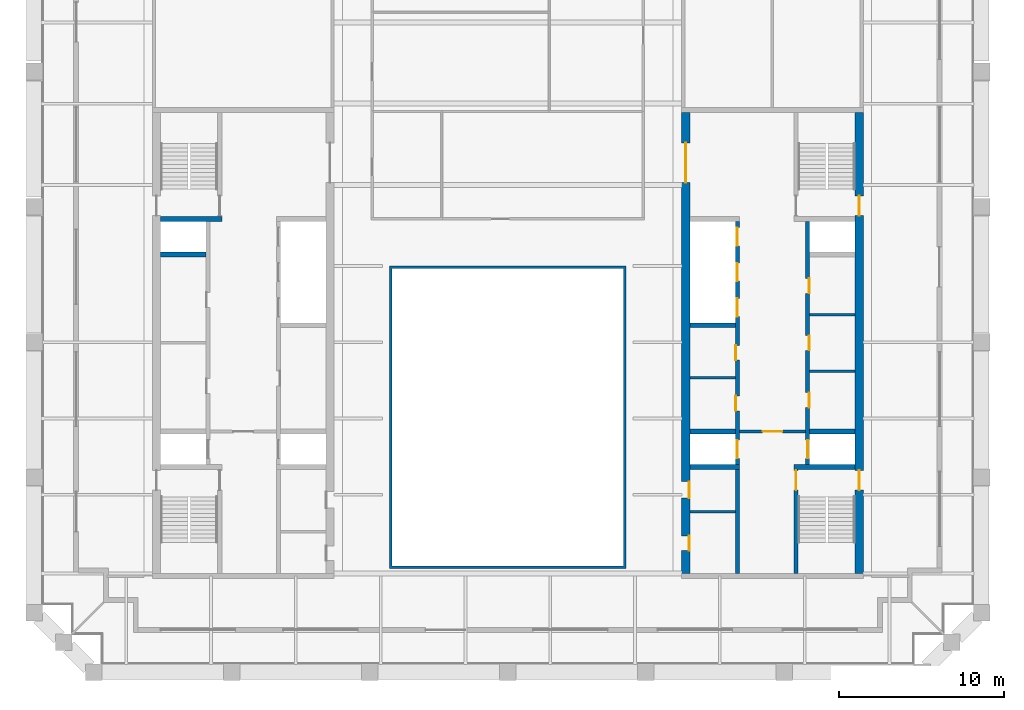
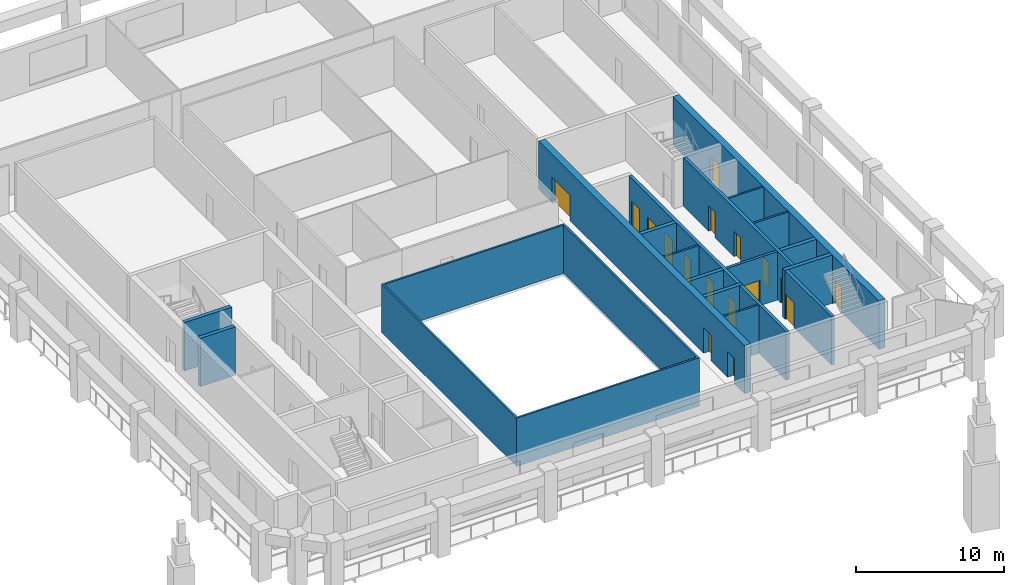
# One storey, part 4 of 8: 18 walls, 17 doors, 17 openings.
"""IFC4 building model written with IfcOpenShell, lengths in metres."""

from ifc_helpers import new_model, si_unit, direction, frame, frame_2d, origin, place, context, subcontext, project, spatial, polyline, rectangle, outline, extrude, material, layer, layer_set, type_object, element, fill, save


model = new_model("IFC4")

# Units and contexts
model_context = context("Model", 3, precision=1e-05, world=origin(), true_north=direction((0.0, 1.0)))
body_context = subcontext(model_context, "Body", "Model", "MODEL_VIEW")
ifc_project = project(units=[si_unit("LENGTHUNIT", "METRE"), si_unit("AREAUNIT", "SQUARE_METRE"), si_unit("VOLUMEUNIT", "CUBIC_METRE"), si_unit("PLANEANGLEUNIT", "RADIAN"), si_unit("MASSUNIT", "GRAM", prefix="KILO")], contexts=[model_context])

# Site, building, storey
site_placement = place(None, origin())
site = spatial("IfcSite", under=ifc_project, at=site_placement, CompositionType="ELEMENT")
building_placement = place(site_placement, origin())
building = spatial("IfcBuilding", under=site, at=building_placement, Name="Ogive Exchange Tower", CompositionType="ELEMENT")
storey_placement = place(building_placement, frame((0.0, 0.0, 309.0)))
storey = spatial("IfcBuildingStorey", under=building, at=storey_placement, Name="L67", CompositionType="ELEMENT", Elevation=309.0)

# Walls
ifc_material_1 = material(Name="Gypsum board partition")
ifc_layer_1 = layer(ifc_material_1, 0.14990234375)
ifc_layer_set_1 = layer_set([ifc_layer_1], Name="Core room partition 150 gypsum")
wall_type_1 = type_object("IfcWallType", Name="Core room partition 150 gypsum", PredefinedType="PARTITIONING", material=ifc_layer_set_1)
for number, where, z_axis, x_axis, name in (
    (1, (18.25, 9.800048828125, 0.0), (0.0, 0.0, 1.0), (1.0, 0.0, 0.0), "E row A bay partition 1-1"),
    (2, (18.25, 13.199951171875, 0.0), (0.0, 0.0, 1.0), (1.0, 0.0, 0.0), "E row A bay partition 1-2"),
    (3, (11.0, 9.39990234375, 0.0), (0.0, 0.0, 1.0), (1.0, 0.0, 0.0), "E row B bay partition 1-1"),
    (4, (11.0, 1.300048828125, 0.0), (0.0, 0.0, 1.0), (1.0, 0.0, 0.0), "E south room partition"),
):
    element("IfcWall", number, at=place(storey_placement, frame(where, z_axis=z_axis, x_axis=x_axis)), inside=storey, type_object=wall_type_1, Name=name, PredefinedType="PARTITIONING", context=body_context, shape_type="SweptSolid", body=[
        extrude(rectangle(XDim=2.75, YDim=0.14990234375, at=frame_2d((1.375, 0.0))), origin(), (0.0, 0.0, 1.0), 4.0),
    ])
ifc_material_2 = material(Name="Fire-resisting glass in steel frame", Category="steel")
ifc_layer_2 = layer(ifc_material_2, 0.14990234375)
ifc_layer_set_2 = layer_set([ifc_layer_2], Name="Fire-rated glazed wall 150")
wall_type_2 = type_object("IfcWallType", Name="Fire-rated glazed wall 150", PredefinedType="STANDARD", material=ifc_layer_set_2)
wall_1_placement = place(storey_placement, origin())
element("IfcWall", 5, at=wall_1_placement, inside=storey, type_object=wall_type_2, Name="Nave enclosure wall", PredefinedType="STANDARD", context=body_context, shape_type="SweptSolid", body=[
    extrude(outline(polyline([(-7.14990234375, -2.14990234375), (7.14990234375, -2.14990234375), (7.14990234375, 16.14990234375), (-7.14990234375, 16.14990234375), (-7.14990234375, -2.14990234375)]), holes=[polyline([(-7.0, -2.0), (-7.0, 16.0), (7.0, 16.0), (7.0, -2.0), (-7.0, -2.0)])]), origin(), (0.0, 0.0, 1.0), 4.0),
])

# Wall, opening, door
ifc_material_3 = material(Name="Concrete C70/85", Category="concrete")
ifc_layer_3 = layer(ifc_material_3, 0.199951171875)
ifc_layer_set_3 = layer_set([ifc_layer_3], Name="RC core wall 200 C70/85")
wall_type_3 = type_object("IfcWallType", Name="RC core wall 200 C70/85", PredefinedType="SHEAR", material=ifc_layer_set_3)
wall_2_placement = place(storey_placement, frame((14.0, 6.142822265625, 0.0), z_axis=(0.0, 0.0, 1.0), x_axis=(1.0, 0.0, 0.0)))
wall_2 = element("IfcWall", 6, at=wall_2_placement, inside=storey, type_object=wall_type_3, Name="E firefighting lobby wall", PredefinedType="SHEAR", context=body_context, shape_type="SweptSolid", body=[
    extrude(rectangle(XDim=4.0, YDim=0.199951171875, at=frame_2d((2.0, 0.0))), origin(), (0.0, 0.0, 1.0), 4.0),
])
opening_1_placement = place(wall_2_placement, frame((1.39990234375, 0.0, 0.0)))
opening_1 = element("IfcOpeningElement", 7, at=opening_1_placement, cuts=wall_2, Name="Opening L67-C28", PredefinedType="OPENING", context=body_context, shape_type="SweptSolid", body=[
    extrude(rectangle(XDim=1.199951171875, YDim=2.10009765625, at=frame_2d((0.60009765625, 1.050048828125))), frame((0.0, 0.10986328125, 0.0), z_axis=(0.0, -1.0, 0.0), x_axis=(1.0, 0.0, 0.0)), (0.0, 0.0, 1.0), 0.219970703125),
])
ifc_material_4 = material(Name="Steel fire door", Category="steel")
door_type_1 = type_object("IfcDoorType", Name="Firefighting lobby door FD60 1200 x 2100", OperationType="NOTDEFINED", PredefinedType="DOOR", material=ifc_material_4)
door_1_placement = place(opening_1_placement, frame((1.199951171875, 0.0, 0.0), z_axis=(0.0, 0.0, 1.0), x_axis=(-1.0, 0.0, 0.0)))
door_1 = element("IfcDoor", 8, at=door_1_placement, inside=storey, type_object=door_type_1, Name="Firefighting lobby door", ObjectType="CD3", OperationType="SINGLE_SWING_LEFT", OverallHeight=2.10009765625, OverallWidth=1.199951171875, PredefinedType="DOOR", context=body_context, shape_type="SweptSolid", body=[
    extrude(rectangle(XDim=1.199951171875, YDim=2.10009765625, at=frame_2d((0.60009765625, 1.050048828125))), frame((0.0, 0.02490234375, 0.0), z_axis=(0.0, -1.0, 0.0), x_axis=(1.0, 0.0, 0.0)), (0.0, 0.0, 1.0), 0.050048828125),
])
fill(opening_1, door_1)

ifc_layer_4 = layer(ifc_material_3, 0.25)
ifc_layer_set_4 = layer_set([ifc_layer_4], Name="RC core wall 250 C70/85")
wall_type_4 = type_object("IfcWallType", Name="RC core wall 250 C70/85", PredefinedType="SHEAR", material=ifc_layer_set_4)
wall_3_placement = place(storey_placement, frame((17.425048828125, -2.449951171875, 0.0), z_axis=(0.0, 0.0, 1.0), x_axis=(0.0, 1.0, 0.0)))
wall_3 = element("IfcWall", 9, at=wall_3_placement, inside=storey, type_object=wall_type_4, Name="E stair S front wall", PredefinedType="SHEAR", context=body_context, shape_type="SweptSolid", body=[
    extrude(rectangle(XDim=6.300048828125, YDim=0.25, at=frame_2d((3.14990234375, 0.0))), origin(), (0.0, 0.0, 1.0), 4.0),
])
opening_2_placement = place(wall_3_placement, frame((5.050048828125, 0.0, 0.0)))
opening_2 = element("IfcOpeningElement", 10, at=opening_2_placement, cuts=wall_3, Name="Opening L67-C30", PredefinedType="OPENING", context=body_context, shape_type="SweptSolid", body=[
    extrude(rectangle(XDim=1.199951171875, YDim=2.10009765625, at=frame_2d((0.60009765625, 1.050048828125))), frame((0.0, 0.135009765625, 0.0), z_axis=(0.0, -1.0, 0.0), x_axis=(1.0, 0.0, 0.0)), (0.0, 0.0, 1.0), 0.27001953125),
])
door_type_2 = type_object("IfcDoorType", Name="Stair door FD90 1200 x 2100", OperationType="NOTDEFINED", PredefinedType="DOOR", material=ifc_material_4)
door_2_placement = place(opening_2_placement, frame((1.199951171875, 0.0, 0.0), z_axis=(0.0, 0.0, 1.0), x_axis=(-1.0, 0.0, 0.0)))
door_2 = element("IfcDoor", 11, at=door_2_placement, inside=storey, type_object=door_type_2, Name="Stair door", ObjectType="CD5", OperationType="SINGLE_SWING_RIGHT", OverallHeight=2.10009765625, OverallWidth=1.199951171875, PredefinedType="DOOR", context=body_context, shape_type="SweptSolid", body=[
    extrude(rectangle(XDim=1.199951171875, YDim=2.10009765625, at=frame_2d((0.60009765625, 1.050048828125))), frame((0.0, 0.02490234375, 0.0), z_axis=(0.0, -1.0, 0.0), x_axis=(1.0, 0.0, 0.0)), (0.0, 0.0, 1.0), 0.050048828125),
])
fill(opening_2, door_2)

# Wall, openings, doors
wall_4_placement = place(storey_placement, frame((18.125, 4.14990234375, 0.0), z_axis=(0.0, 0.0, 1.0), x_axis=(0.0, 1.0, 0.0)))
wall_4 = element("IfcWall", 12, at=wall_4_placement, inside=storey, type_object=wall_type_4, Name="E row A front wall", PredefinedType="SHEAR", context=body_context, shape_type="SweptSolid", body=[
    extrude(rectangle(XDim=14.7001953125, YDim=0.25, at=frame_2d((7.35009765625, 0.0))), origin(), (0.0, 0.0, 1.0), 4.0),
])
opening_3_placement = place(wall_4_placement, frame((3.4462890625, 0.0, 0.0)))
opening_3 = element("IfcOpeningElement", 13, at=opening_3_placement, cuts=wall_4, Name="Opening L67-C18", PredefinedType="OPENING", context=body_context, shape_type="SweptSolid", body=[
    extrude(rectangle(XDim=0.89990234375, YDim=2.10009765625, at=frame_2d((0.449951171875, 1.050048828125))), frame((0.0, 0.135009765625, 0.0), z_axis=(0.0, -1.0, 0.0), x_axis=(1.0, 0.0, 0.0)), (0.0, 0.0, 1.0), 0.27001953125),
])
opening_4_placement = place(wall_4_placement, frame((6.89990234375, 0.0, 0.0)))
opening_4 = element("IfcOpeningElement", 14, at=opening_4_placement, cuts=wall_4, Name="Opening L67-C19", PredefinedType="OPENING", context=body_context, shape_type="SweptSolid", body=[
    extrude(rectangle(XDim=0.89990234375, YDim=2.10009765625, at=frame_2d((0.449951171875, 1.050048828125))), frame((0.0, 0.135009765625, 0.0), z_axis=(0.0, -1.0, 0.0), x_axis=(1.0, 0.0, 0.0)), (0.0, 0.0, 1.0), 0.27001953125),
])
opening_5_placement = place(wall_4_placement, frame((10.353515625, 0.0, 0.0)))
opening_5 = element("IfcOpeningElement", 15, at=opening_5_placement, cuts=wall_4, Name="Opening L67-C20", PredefinedType="OPENING", context=body_context, shape_type="SweptSolid", body=[
    extrude(rectangle(XDim=0.89990234375, YDim=2.10009765625, at=frame_2d((0.449951171875, 1.050048828125))), frame((0.0, 0.135009765625, 0.0), z_axis=(0.0, -1.0, 0.0), x_axis=(1.0, 0.0, 0.0)), (0.0, 0.0, 1.0), 0.27001953125),
])
opening_6_placement = place(wall_4_placement, frame((0.371337890625, 0.0, 0.0)))
opening_6 = element("IfcOpeningElement", 16, at=opening_6_placement, cuts=wall_4, Name="Opening L67-C21", PredefinedType="OPENING", context=body_context, shape_type="SweptSolid", body=[
    extrude(rectangle(XDim=1.10009765625, YDim=2.10009765625, at=frame_2d((0.550048828125, 1.050048828125))), frame((0.0, 0.135009765625, 0.0), z_axis=(0.0, -1.0, 0.0), x_axis=(1.0, 0.0, 0.0)), (0.0, 0.0, 1.0), 0.27001953125),
])
ifc_material_5 = material(Name="Timber fire door", Category="wood")
door_type_3 = type_object("IfcDoorType", Name="Core room door FD30S 900 x 2100", OperationType="NOTDEFINED", PredefinedType="DOOR", material=ifc_material_5)
door_3_placement = place(opening_3_placement, frame((0.89990234375, -0.2001953125, 0.0), z_axis=(0.0, 0.0, 1.0), x_axis=(-1.0, 0.0, 0.0)))
door_3 = element("IfcDoor", 17, at=door_3_placement, inside=storey, type_object=door_type_3, Name="Core room door", ObjectType="CD6", OperationType="SINGLE_SWING_RIGHT", OverallHeight=2.10009765625, OverallWidth=0.89990234375, PredefinedType="DOOR", context=body_context, shape_type="SweptSolid", body=[
    extrude(rectangle(XDim=0.89990234375, YDim=2.10009765625, at=frame_2d((0.449951171875, 1.050048828125))), frame((0.0, -0.0751953125, 0.0), z_axis=(0.0, -1.0, 0.0), x_axis=(1.0, 0.0, 0.0)), (0.0, 0.0, 1.0), 0.050048828125),
])
fill(opening_3, door_3)
door_4_placement = place(opening_5_placement, frame((0.89990234375, -0.2001953125, 0.0), z_axis=(0.0, 0.0, 1.0), x_axis=(-1.0, 0.0, 0.0)))
door_4 = element("IfcDoor", 18, at=door_4_placement, inside=storey, type_object=door_type_3, Name="Core room door", ObjectType="CD6", OperationType="SINGLE_SWING_LEFT", OverallHeight=2.10009765625, OverallWidth=0.89990234375, PredefinedType="DOOR", context=body_context, shape_type="SweptSolid", body=[
    extrude(rectangle(XDim=0.89990234375, YDim=2.10009765625, at=frame_2d((0.449951171875, 1.050048828125))), frame((0.0, -0.0751953125, 0.0), z_axis=(0.0, -1.0, 0.0), x_axis=(1.0, 0.0, 0.0)), (0.0, 0.0, 1.0), 0.050048828125),
])
fill(opening_5, door_4)
ifc_material_6 = material(Name="Stainless steel", Category="steel")
door_type_4 = type_object("IfcDoorType", Name="Lift landing door FD90 1100 x 2100", OperationType="SLIDING_TO_LEFT", PredefinedType="DOOR", material=ifc_material_6)
door_5_placement = place(opening_6_placement, origin())
door_5 = element("IfcDoor", 19, at=door_5_placement, inside=storey, type_object=door_type_4, Name="Lift landing door FF2", ObjectType="LD", OperationType="SLIDING_TO_LEFT", OverallHeight=2.10009765625, OverallWidth=1.10009765625, PredefinedType="DOOR", context=body_context, shape_type="SweptSolid", body=[
    extrude(rectangle(XDim=1.10009765625, YDim=2.10009765625, at=frame_2d((0.550048828125, 1.050048828125))), frame((0.0, 0.02490234375, 0.0), z_axis=(0.0, -1.0, 0.0), x_axis=(1.0, 0.0, 0.0)), (0.0, 0.0, 1.0), 0.050048828125),
])
fill(opening_6, door_5)
door_type_5 = type_object("IfcDoorType", Name="Riser door FD60 900 x 2100", OperationType="NOTDEFINED", PredefinedType="DOOR", material=ifc_material_4)
door_6_placement = place(opening_4_placement, frame((0.89990234375, -0.2001953125, 0.0), z_axis=(0.0, 0.0, 1.0), x_axis=(-1.0, 0.0, 0.0)))
door_6 = element("IfcDoor", 20, at=door_6_placement, inside=storey, type_object=door_type_5, Name="Riser door", ObjectType="CD2", OperationType="SINGLE_SWING_RIGHT", OverallHeight=2.10009765625, OverallWidth=0.89990234375, PredefinedType="DOOR", context=body_context, shape_type="SweptSolid", body=[
    extrude(rectangle(XDim=0.89990234375, YDim=2.10009765625, at=frame_2d((0.449951171875, 1.050048828125))), frame((0.0, -0.0751953125, 0.0), z_axis=(0.0, -1.0, 0.0), x_axis=(1.0, 0.0, 0.0)), (0.0, 0.0, 1.0), 0.050048828125),
])
fill(opening_4, door_6)

wall_5_placement = place(storey_placement, frame((13.875, -2.449951171875, 0.0), z_axis=(0.0, 0.0, 1.0), x_axis=(0.0, 1.0, 0.0)))
wall_5 = element("IfcWall", 21, at=wall_5_placement, inside=storey, type_object=wall_type_4, Name="E row B front wall", PredefinedType="SHEAR", context=body_context, shape_type="SweptSolid", body=[
    extrude(rectangle(XDim=21.300048828125, YDim=0.25, at=frame_2d((10.64990234375, 0.0))), origin(), (0.0, 0.0, 1.0), 4.0),
])
opening_7_placement = place(wall_5_placement, frame((9.846435546875, 0.0, 0.0)))
opening_7 = element("IfcOpeningElement", 22, at=opening_7_placement, cuts=wall_5, Name="Opening L67-C22", PredefinedType="OPENING", context=body_context, shape_type="SweptSolid", body=[
    extrude(rectangle(XDim=0.89990234375, YDim=2.10009765625, at=frame_2d((0.449951171875, 1.050048828125))), frame((0.0, 0.135009765625, 0.0), z_axis=(0.0, -1.0, 0.0), x_axis=(1.0, 0.0, 0.0)), (0.0, 0.0, 1.0), 0.27001953125),
])
opening_8_placement = place(wall_5_placement, frame((12.91064453125, 0.0, 0.0)))
opening_8 = element("IfcOpeningElement", 23, at=opening_8_placement, cuts=wall_5, Name="Opening L67-C23", PredefinedType="OPENING", context=body_context, shape_type="SweptSolid", body=[
    extrude(rectangle(XDim=0.89990234375, YDim=2.10009765625, at=frame_2d((0.449951171875, 1.050048828125))), frame((0.0, 0.135009765625, 0.0), z_axis=(0.0, -1.0, 0.0), x_axis=(1.0, 0.0, 0.0)), (0.0, 0.0, 1.0), 0.27001953125),
])
opening_9_placement = place(wall_5_placement, frame((6.971435546875, 0.0, 0.0)))
opening_9 = element("IfcOpeningElement", 24, at=opening_9_placement, cuts=wall_5, Name="Opening L67-C24", PredefinedType="OPENING", context=body_context, shape_type="SweptSolid", body=[
    extrude(rectangle(XDim=1.10009765625, YDim=2.10009765625, at=frame_2d((0.550048828125, 1.050048828125))), frame((0.0, 0.135009765625, 0.0), z_axis=(0.0, -1.0, 0.0), x_axis=(1.0, 0.0, 0.0)), (0.0, 0.0, 1.0), 0.27001953125),
])
opening_10_placement = place(wall_5_placement, frame((15.54296875, 0.0, 0.0)))
opening_10 = element("IfcOpeningElement", 25, at=opening_10_placement, cuts=wall_5, Name="Opening L67-C25", PredefinedType="OPENING", context=body_context, shape_type="SweptSolid", body=[
    extrude(rectangle(XDim=1.10009765625, YDim=2.10009765625, at=frame_2d((0.550048828125, 1.050048828125))), frame((0.0, 0.135009765625, 0.0), z_axis=(0.0, -1.0, 0.0), x_axis=(1.0, 0.0, 0.0)), (0.0, 0.0, 1.0), 0.27001953125),
])
opening_11_placement = place(wall_5_placement, frame((17.685791015625, 0.0, 0.0)))
opening_11 = element("IfcOpeningElement", 26, at=opening_11_placement, cuts=wall_5, Name="Opening L67-C26", PredefinedType="OPENING", context=body_context, shape_type="SweptSolid", body=[
    extrude(rectangle(XDim=1.10009765625, YDim=2.10009765625, at=frame_2d((0.550048828125, 1.050048828125))), frame((0.0, 0.135009765625, 0.0), z_axis=(0.0, -1.0, 0.0), x_axis=(1.0, 0.0, 0.0)), (0.0, 0.0, 1.0), 0.27001953125),
])
opening_12_placement = place(wall_5_placement, frame((19.82861328125, 0.0, 0.0)))
opening_12 = element("IfcOpeningElement", 27, at=opening_12_placement, cuts=wall_5, Name="Opening L67-C27", PredefinedType="OPENING", context=body_context, shape_type="SweptSolid", body=[
    extrude(rectangle(XDim=1.10009765625, YDim=2.10009765625, at=frame_2d((0.550048828125, 1.050048828125))), frame((0.0, 0.135009765625, 0.0), z_axis=(0.0, -1.0, 0.0), x_axis=(1.0, 0.0, 0.0)), (0.0, 0.0, 1.0), 0.27001953125),
])
door_7_placement = place(opening_9_placement, origin())
door_7 = element("IfcDoor", 28, at=door_7_placement, inside=storey, type_object=door_type_4, Name="Lift landing door SV2", ObjectType="LD", OperationType="SLIDING_TO_LEFT", OverallHeight=2.10009765625, OverallWidth=1.10009765625, PredefinedType="DOOR", context=body_context, shape_type="SweptSolid", body=[
    extrude(rectangle(XDim=1.10009765625, YDim=2.10009765625, at=frame_2d((0.550048828125, 1.050048828125))), frame((0.0, 0.02490234375, 0.0), z_axis=(0.0, -1.0, 0.0), x_axis=(1.0, 0.0, 0.0)), (0.0, 0.0, 1.0), 0.050048828125),
])
fill(opening_9, door_7)
door_8_placement = place(opening_10_placement, origin())
door_8 = element("IfcDoor", 29, at=door_8_placement, inside=storey, type_object=door_type_4, Name="Lift landing door E-H1", ObjectType="LD", OperationType="SLIDING_TO_LEFT", OverallHeight=2.10009765625, OverallWidth=1.10009765625, PredefinedType="DOOR", context=body_context, shape_type="SweptSolid", body=[
    extrude(rectangle(XDim=1.10009765625, YDim=2.10009765625, at=frame_2d((0.550048828125, 1.050048828125))), frame((0.0, 0.02490234375, 0.0), z_axis=(0.0, -1.0, 0.0), x_axis=(1.0, 0.0, 0.0)), (0.0, 0.0, 1.0), 0.050048828125),
])
fill(opening_10, door_8)
door_9_placement = place(opening_11_placement, origin())
door_9 = element("IfcDoor", 30, at=door_9_placement, inside=storey, type_object=door_type_4, Name="Lift landing door E-H2", ObjectType="LD", OperationType="SLIDING_TO_LEFT", OverallHeight=2.10009765625, OverallWidth=1.10009765625, PredefinedType="DOOR", context=body_context, shape_type="SweptSolid", body=[
    extrude(rectangle(XDim=1.10009765625, YDim=2.10009765625, at=frame_2d((0.550048828125, 1.050048828125))), frame((0.0, 0.02490234375, 0.0), z_axis=(0.0, -1.0, 0.0), x_axis=(1.0, 0.0, 0.0)), (0.0, 0.0, 1.0), 0.050048828125),
])
fill(opening_11, door_9)
door_10_placement = place(opening_12_placement, origin())
door_10 = element("IfcDoor", 31, at=door_10_placement, inside=storey, type_object=door_type_4, Name="Lift landing door E-H3", ObjectType="LD", OperationType="SLIDING_TO_LEFT", OverallHeight=2.10009765625, OverallWidth=1.10009765625, PredefinedType="DOOR", context=body_context, shape_type="SweptSolid", body=[
    extrude(rectangle(XDim=1.10009765625, YDim=2.10009765625, at=frame_2d((0.550048828125, 1.050048828125))), frame((0.0, 0.02490234375, 0.0), z_axis=(0.0, -1.0, 0.0), x_axis=(1.0, 0.0, 0.0)), (0.0, 0.0, 1.0), 0.050048828125),
])
fill(opening_12, door_10)
door_11_placement = place(opening_7_placement, origin())
door_11 = element("IfcDoor", 32, at=door_11_placement, inside=storey, type_object=door_type_5, Name="Riser door", ObjectType="CD2", OperationType="SINGLE_SWING_RIGHT", OverallHeight=2.10009765625, OverallWidth=0.89990234375, PredefinedType="DOOR", context=body_context, shape_type="SweptSolid", body=[
    extrude(rectangle(XDim=0.89990234375, YDim=2.10009765625, at=frame_2d((0.449951171875, 1.050048828125))), frame((0.0, 0.125, 0.0), z_axis=(0.0, -1.0, 0.0), x_axis=(1.0, 0.0, 0.0)), (0.0, 0.0, 1.0), 0.050048828125),
])
fill(opening_7, door_11)
door_12_placement = place(opening_8_placement, origin())
door_12 = element("IfcDoor", 33, at=door_12_placement, inside=storey, type_object=door_type_5, Name="Riser door", ObjectType="CD2", OperationType="SINGLE_SWING_RIGHT", OverallHeight=2.10009765625, OverallWidth=0.89990234375, PredefinedType="DOOR", context=body_context, shape_type="SweptSolid", body=[
    extrude(rectangle(XDim=0.89990234375, YDim=2.10009765625, at=frame_2d((0.449951171875, 1.050048828125))), frame((0.0, 0.125, 0.0), z_axis=(0.0, -1.0, 0.0), x_axis=(1.0, 0.0, 0.0)), (0.0, 0.0, 1.0), 0.050048828125),
])
fill(opening_8, door_12)

# Walls
ifc_layer_5 = layer(ifc_material_3, 0.300048828125)
ifc_layer_set_5 = layer_set([ifc_layer_5], Name="RC core wall 300 C70/85")
wall_type_5 = type_object("IfcWallType", Name="RC core wall 300 C70/85", PredefinedType="SHEAR", material=ifc_layer_set_5)
wall_6_placement = place(storey_placement, frame((-21.0, 19.0, 0.0), z_axis=(0.0, 0.0, 1.0), x_axis=(1.0, 0.0, 0.0)))
element("IfcWall", 34, at=wall_6_placement, inside=storey, type_object=wall_type_5, Name="W stair N south wall", PredefinedType="SHEAR", context=body_context, shape_type="SweptSolid", body=[
    extrude(rectangle(XDim=3.699951171875, YDim=0.300048828125, at=frame_2d((1.85009765625, 0.0))), origin(), (0.0, 0.0, 1.0), 4.0),
])
wall_7_placement = place(storey_placement, frame((-21.0, 16.857177734375, 0.0), z_axis=(0.0, 0.0, 1.0), x_axis=(1.0, 0.0, 0.0)))
element("IfcWall", 35, at=wall_7_placement, inside=storey, type_object=wall_type_5, Name="W row A divider 6", PredefinedType="SHEAR", context=body_context, shape_type="SweptSolid", body=[
    extrude(rectangle(XDim=2.75, YDim=0.300048828125, at=frame_2d((1.375, 0.0))), origin(), (0.0, 0.0, 1.0), 4.0),
])
wall_8_placement = place(storey_placement, frame((17.300048828125, 4.0, 0.0), z_axis=(0.0, 0.0, 1.0), x_axis=(1.0, 0.0, 0.0)))
element("IfcWall", 36, at=wall_8_placement, inside=storey, type_object=wall_type_5, Name="E stair S north wall", PredefinedType="SHEAR", context=body_context, shape_type="SweptSolid", body=[
    extrude(rectangle(XDim=3.699951171875, YDim=0.300048828125, at=frame_2d((1.85009765625, 0.0))), origin(), (0.0, 0.0, 1.0), 4.0),
])
wall_9_placement = place(storey_placement, frame((18.25, 6.142822265625, 0.0), z_axis=(0.0, 0.0, 1.0), x_axis=(1.0, 0.0, 0.0)))
element("IfcWall", 37, at=wall_9_placement, inside=storey, type_object=wall_type_5, Name="E row A divider 1", PredefinedType="SHEAR", context=body_context, shape_type="SweptSolid", body=[
    extrude(rectangle(XDim=2.75, YDim=0.300048828125, at=frame_2d((1.375, 0.0))), origin(), (0.0, 0.0, 1.0), 4.0),
])
wall_10_placement = place(storey_placement, frame((11.0, 4.0, 0.0), z_axis=(0.0, 0.0, 1.0), x_axis=(1.0, 0.0, 0.0)))
element("IfcWall", 38, at=wall_10_placement, inside=storey, type_object=wall_type_5, Name="E row B divider 0", PredefinedType="SHEAR", context=body_context, shape_type="SweptSolid", body=[
    extrude(rectangle(XDim=3.0, YDim=0.300048828125, at=frame_2d((1.5, 0.0))), origin(), (0.0, 0.0, 1.0), 4.0),
])
for number, where, z_axis, x_axis, name in (
    (39, (11.0, 6.142822265625, 0.0), (0.0, 0.0, 1.0), (1.0, 0.0, 0.0), "E row B divider 1"),
    (40, (11.0, 12.5712890625, 0.0), (0.0, 0.0, 1.0), (1.0, 0.0, 0.0), "E row B divider 4"),
):
    element("IfcWall", number, at=place(storey_placement, frame(where, z_axis=z_axis, x_axis=x_axis)), inside=storey, type_object=wall_type_5, Name=name, PredefinedType="SHEAR", context=body_context, shape_type="SweptSolid", body=[
        extrude(rectangle(XDim=2.75, YDim=0.300048828125, at=frame_2d((1.375, 0.0))), origin(), (0.0, 0.0, 1.0), 4.0),
    ])

# Wall, openings, doors
ifc_layer_6 = layer(ifc_material_3, 0.5)
ifc_layer_set_6 = layer_set([ifc_layer_6], Name="RC core wall 500 C70/85")
wall_type_6 = type_object("IfcWallType", Name="RC core wall 500 C70/85", PredefinedType="SHEAR", material=ifc_layer_set_6)
wall_11_placement = place(storey_placement, frame((21.25, -2.449951171875, 0.0), z_axis=(0.0, 0.0, 1.0), x_axis=(0.0, 1.0, 0.0)))
wall_11 = element("IfcWall", 41, at=wall_11_placement, inside=storey, type_object=wall_type_6, Name="E outer wall", PredefinedType="SHEAR", context=body_context, shape_type="SweptSolid", body=[
    extrude(rectangle(XDim=27.89990234375, YDim=0.5, at=frame_2d((13.949951171875, 0.0))), origin(), (0.0, 0.0, 1.0), 4.0),
])
opening_13_placement = place(wall_11_placement, frame((5.050048828125, 0.0, 0.0)))
opening_13 = element("IfcOpeningElement", 42, at=opening_13_placement, cuts=wall_11, Name="Opening L67-C31", PredefinedType="OPENING", context=body_context, shape_type="SweptSolid", body=[
    extrude(rectangle(XDim=1.199951171875, YDim=2.10009765625, at=frame_2d((0.60009765625, 1.050048828125))), frame((0.0, 0.260009765625, 0.0), z_axis=(0.0, -1.0, 0.0), x_axis=(1.0, 0.0, 0.0)), (0.0, 0.0, 1.0), 0.52001953125),
])
opening_14_placement = place(wall_11_placement, frame((21.64990234375, 0.0, 0.0)))
opening_14 = element("IfcOpeningElement", 43, at=opening_14_placement, cuts=wall_11, Name="Opening L67-C33", PredefinedType="OPENING", context=body_context, shape_type="SweptSolid", body=[
    extrude(rectangle(XDim=1.199951171875, YDim=2.10009765625, at=frame_2d((0.60009765625, 1.050048828125))), frame((0.0, 0.260009765625, 0.0), z_axis=(0.0, -1.0, 0.0), x_axis=(1.0, 0.0, 0.0)), (0.0, 0.0, 1.0), 0.52001953125),
])
door_13_placement = place(opening_13_placement, frame((1.199951171875, 0.0, 0.0), z_axis=(0.0, 0.0, 1.0), x_axis=(-1.0, 0.0, 0.0)))
door_13 = element("IfcDoor", 44, at=door_13_placement, inside=storey, type_object=door_type_2, Name="Stair door", ObjectType="CD5", OperationType="SINGLE_SWING_RIGHT", OverallHeight=2.10009765625, OverallWidth=1.199951171875, PredefinedType="DOOR", context=body_context, shape_type="SweptSolid", body=[
    extrude(rectangle(XDim=1.199951171875, YDim=2.10009765625, at=frame_2d((0.60009765625, 1.050048828125))), frame((0.0, 0.02490234375, 0.0), z_axis=(0.0, -1.0, 0.0), x_axis=(1.0, 0.0, 0.0)), (0.0, 0.0, 1.0), 0.050048828125),
])
fill(opening_13, door_13)
door_14_placement = place(opening_14_placement, frame((1.199951171875, 0.0, 0.0), z_axis=(0.0, 0.0, 1.0), x_axis=(-1.0, 0.0, 0.0)))
door_14 = element("IfcDoor", 45, at=door_14_placement, inside=storey, type_object=door_type_2, Name="Stair door", ObjectType="CD5", OperationType="SINGLE_SWING_RIGHT", OverallHeight=2.10009765625, OverallWidth=1.199951171875, PredefinedType="DOOR", context=body_context, shape_type="SweptSolid", body=[
    extrude(rectangle(XDim=1.199951171875, YDim=2.10009765625, at=frame_2d((0.60009765625, 1.050048828125))), frame((0.0, 0.02490234375, 0.0), z_axis=(0.0, -1.0, 0.0), x_axis=(1.0, 0.0, 0.0)), (0.0, 0.0, 1.0), 0.050048828125),
])
fill(opening_14, door_14)

wall_12_placement = place(storey_placement, frame((10.75, -2.449951171875, 0.0), z_axis=(0.0, 0.0, 1.0), x_axis=(0.0, 1.0, 0.0)))
wall_12 = element("IfcWall", 46, at=wall_12_placement, inside=storey, type_object=wall_type_6, Name="E inner wall", PredefinedType="SHEAR", context=body_context, shape_type="SweptSolid", body=[
    extrude(rectangle(XDim=27.89990234375, YDim=0.5, at=frame_2d((13.949951171875, 0.0))), origin(), (0.0, 0.0, 1.0), 4.0),
])
opening_15_placement = place(wall_12_placement, frame((23.64990234375, 0.0, 0.0)))
opening_15 = element("IfcOpeningElement", 47, at=opening_15_placement, cuts=wall_12, Name="Opening L67-C29", PredefinedType="OPENING", context=body_context, shape_type="SweptSolid", body=[
    extrude(rectangle(XDim=2.39990234375, YDim=2.10009765625, at=frame_2d((1.199951171875, 1.050048828125))), frame((0.0, 0.260009765625, 0.0), z_axis=(0.0, -1.0, 0.0), x_axis=(1.0, 0.0, 0.0)), (0.0, 0.0, 1.0), 0.52001953125),
])
opening_16_placement = place(wall_12_placement, frame((1.387451171875, 0.0, 0.0)))
opening_16 = element("IfcOpeningElement", 48, at=opening_16_placement, cuts=wall_12, Name="Opening L67-C34", PredefinedType="OPENING", context=body_context, shape_type="SweptSolid", body=[
    extrude(rectangle(XDim=0.89990234375, YDim=2.10009765625, at=frame_2d((0.449951171875, 1.050048828125))), frame((0.0, 0.260009765625, 0.0), z_axis=(0.0, -1.0, 0.0), x_axis=(1.0, 0.0, 0.0)), (0.0, 0.0, 1.0), 0.52001953125),
])
opening_17_placement = place(wall_12_placement, frame((4.5625, 0.0, 0.0)))
opening_17 = element("IfcOpeningElement", 49, at=opening_17_placement, cuts=wall_12, Name="Opening L67-C35", PredefinedType="OPENING", context=body_context, shape_type="SweptSolid", body=[
    extrude(rectangle(XDim=1.0, YDim=2.10009765625, at=frame_2d((0.5, 1.050048828125))), frame((0.0, 0.260009765625, 0.0), z_axis=(0.0, -1.0, 0.0), x_axis=(1.0, 0.0, 0.0)), (0.0, 0.0, 1.0), 0.52001953125),
])
door_type_6 = type_object("IfcDoorType", Name="Accessible WC door FD30S 1000 x 2100", OperationType="NOTDEFINED", PredefinedType="DOOR", material=ifc_material_5)
door_15_placement = place(opening_17_placement, origin())
door_15 = element("IfcDoor", 50, at=door_15_placement, inside=storey, type_object=door_type_6, Name="Accessible WC door", ObjectType="CD7", OperationType="SINGLE_SWING_RIGHT", OverallHeight=2.10009765625, OverallWidth=1.0, PredefinedType="DOOR", context=body_context, shape_type="SweptSolid", body=[
    extrude(rectangle(XDim=1.0, YDim=2.10009765625, at=frame_2d((0.5, 1.050048828125))), frame((0.0, -0.2001953125, 0.0), z_axis=(0.0, -1.0, 0.0), x_axis=(1.0, 0.0, 0.0)), (0.0, 0.0, 1.0), 0.050048828125),
])
fill(opening_17, door_15)
door_16_placement = place(opening_16_placement, origin())
door_16 = element("IfcDoor", 51, at=door_16_placement, inside=storey, type_object=door_type_3, Name="Core room door", ObjectType="CD6", OperationType="SINGLE_SWING_RIGHT", OverallHeight=2.10009765625, OverallWidth=0.89990234375, PredefinedType="DOOR", context=body_context, shape_type="SweptSolid", body=[
    extrude(rectangle(XDim=0.89990234375, YDim=2.10009765625, at=frame_2d((0.449951171875, 1.050048828125))), frame((0.0, -0.2001953125, 0.0), z_axis=(0.0, -1.0, 0.0), x_axis=(1.0, 0.0, 0.0)), (0.0, 0.0, 1.0), 0.050048828125),
])
fill(opening_16, door_16)
ifc_material_7 = material(Name="Glazed steel fire door", Category="steel")
door_type_7 = type_object("IfcDoorType", Name="Lift lobby double door FD60 2400 x 2100", OperationType="DOUBLE_DOOR_SINGLE_SWING", PredefinedType="DOOR", material=ifc_material_7)
door_17_placement = place(opening_15_placement, origin())
door_17 = element("IfcDoor", 52, at=door_17_placement, inside=storey, type_object=door_type_7, Name="Lift lobby double door", ObjectType="CD4", OperationType="DOUBLE_DOOR_SINGLE_SWING", OverallHeight=2.10009765625, OverallWidth=2.39990234375, PredefinedType="DOOR", context=body_context, shape_type="SweptSolid", body=[
    extrude(rectangle(XDim=2.39990234375, YDim=2.10009765625, at=frame_2d((1.199951171875, 1.050048828125))), frame((0.0, 0.02490234375, 0.0), z_axis=(0.0, -1.0, 0.0), x_axis=(1.0, 0.0, 0.0)), (0.0, 0.0, 1.0), 0.050048828125),
])
fill(opening_15, door_17)

save(model, "model.ifc")
